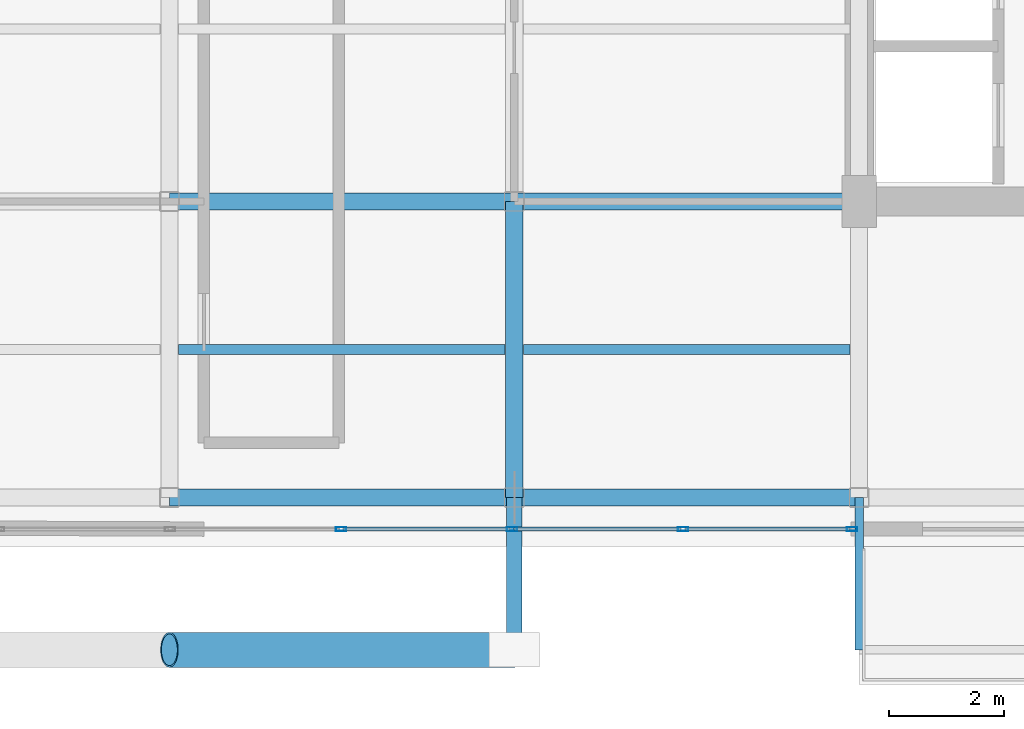
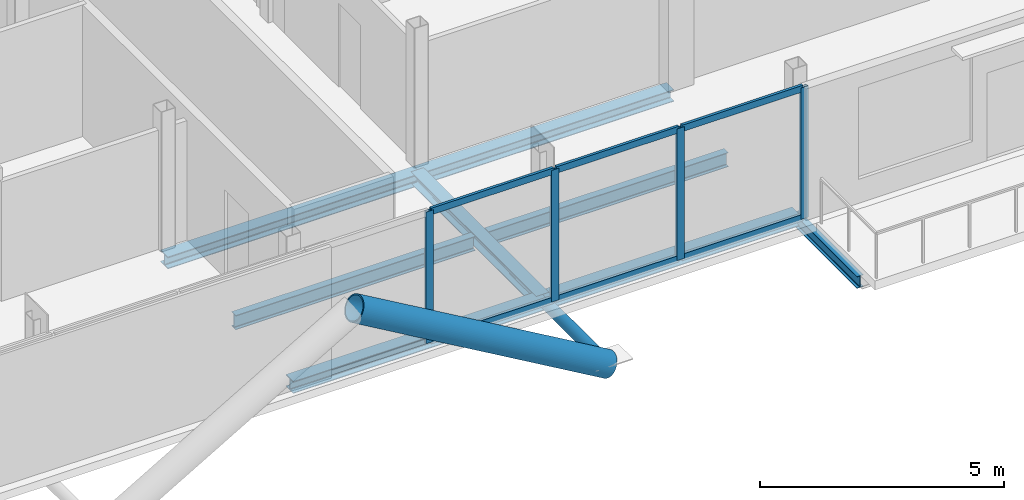
# One storey, part 5 of 19: 12 members, 8 beams, 1 element without a shape of its own.
"""IFC4 building model written with IfcOpenShell, lengths in metres."""

import ifcopenshell
import ifcopenshell.guid

model = None  # the IFC model being written
_history = None  # IfcOwnerHistory: only IFC2X3 demands one
_inside = {}  # id of a spatial element -> (the spatial element, [elements in it])
_under = {}  # id of a project, library or spatial element -> (it, [spatial elements below it])
_declared = {}  # id of a project -> (the project, [libraries it declares])
_typed = {}  # id of a type object -> (the type object, [elements of that type])
_made_of = {}  # id of a material, layer set ... -> (it, [elements and type objects made of it])


def new_model(schema):
    """Start an empty IFC model of exactly this schema.

    Asked for "IFC4X3", IfcOpenShell would pick the latest addendum, in which some entities
    have other attributes; the version numbers below select the first issue.
    IFC2X3 requires an IfcOwnerHistory on every rooted entity: one is made here for all.
    """
    global model, _history
    if schema == "IFC4X3":
        model = ifcopenshell.file(schema_version=(4, 3, 0, 0))
    else:
        model = ifcopenshell.file(schema=schema)
    _inside.clear()
    _under.clear()
    _declared.clear()
    _typed.clear()
    _made_of.clear()
    _history = None
    if model.schema == "IFC2X3":
        org = make("IfcOrganization", Name="unknown")
        user = make(
            "IfcPersonAndOrganization",
            ThePerson=make("IfcPerson", FamilyName="unknown"),
            TheOrganization=org,
        )
        app = make(
            "IfcApplication",
            ApplicationDeveloper=org,
            Version="unknown",
            ApplicationFullName="unknown",
            ApplicationIdentifier="unknown",
        )
        _history = make(
            "IfcOwnerHistory",
            OwningUser=user,
            OwningApplication=app,
            ChangeAction="ADDED",
            CreationDate=0,
        )
    return model


def make(cls, **values):
    """One entity of the class cls with the attributes given. An attribute that is None is left unset."""
    return model.create_entity(
        cls, **{name: value for name, value in values.items() if value is not None}
    )


def rooted(cls, **values):
    """An entity with a GlobalId (a new one), such as an element, a storey or a relation."""
    return make(cls, GlobalId=ifcopenshell.guid.new(), OwnerHistory=_history, **values)


def si_unit(unit_type, name, prefix=None):
    """IfcSIUnit, for example si_unit("LENGTHUNIT", "METRE", prefix="MILLI")."""
    return make("IfcSIUnit", UnitType=unit_type, Prefix=prefix, Name=name)


def assignment(units):
    """IfcUnitAssignment: the units of a project."""
    return None if units is None else make("IfcUnitAssignment", Units=units)


def point(xyz):
    """IfcCartesianPoint."""
    return None if xyz is None else make("IfcCartesianPoint", Coordinates=xyz)


def direction(xyz):
    """IfcDirection."""
    return None if xyz is None else make("IfcDirection", DirectionRatios=xyz)


def frame(location, z_axis=None, x_axis=None):
    """IfcAxis2Placement3D, a coordinate frame: its origin and axes. An axis left out is left unset."""
    return make(
        "IfcAxis2Placement3D",
        Location=point(location),
        Axis=direction(z_axis),
        RefDirection=direction(x_axis),
    )


def frame_2d(location, x_axis=None):
    """IfcAxis2Placement2D, a coordinate frame in the plane: its origin and x axis."""
    return make(
        "IfcAxis2Placement2D", Location=point(location), RefDirection=direction(x_axis)
    )


def origin():
    """The frame at (0, 0, 0) with its axes left unset."""
    return frame((0.0, 0.0, 0.0))


def origin_2d():
    """The frame at (0, 0) in the plane with its x axis left unset."""
    return frame_2d((0.0, 0.0))


def place(relative_to, where):
    """IfcLocalPlacement: puts the frame where relative to a parent placement (None: the world)."""
    return make(
        "IfcLocalPlacement", PlacementRelTo=relative_to, RelativePlacement=where
    )


def context(
    kind, dimensions, precision=None, world=None, true_north=None, identifier=None
):
    """IfcGeometricRepresentationContext, for example the 3D "Model" context."""
    return make(
        "IfcGeometricRepresentationContext",
        ContextIdentifier=identifier,
        ContextType=kind,
        CoordinateSpaceDimension=dimensions,
        Precision=precision,
        WorldCoordinateSystem=world,
        TrueNorth=true_north,
    )


def subcontext(parent, identifier, kind, view, scale=None):
    """IfcGeometricRepresentationSubContext, for example "Body" below "Model"."""
    return make(
        "IfcGeometricRepresentationSubContext",
        ContextIdentifier=identifier,
        ContextType=kind,
        ParentContext=parent,
        TargetScale=scale,
        TargetView=view,
    )


def project(units=None, contexts=None):
    """IfcProject with its units and contexts."""
    return rooted(
        "IfcProject",
        Name="project",
        RepresentationContexts=contexts,
        UnitsInContext=assignment(units),
    )


def spatial(cls, under=None, at=None, **own):
    """A site, building, storey or space (cls), placed at a placement, below another one or the project."""
    s = rooted(cls, ObjectPlacement=at, **own)
    if under is not None:
        _under.setdefault(under.id(), (under, []))[1].append(s)
    return s


def profile(cls, at=None, kind="AREA", **sizes):
    """A parametric profile (cls). Its sizes go by their IFC names, for example OverallWidth=200.0."""
    return make(cls, ProfileType=kind, Position=at, **sizes)


def hollow_rectangle(**sizes):
    """IfcRectangleHollowProfileDef."""
    return profile("IfcRectangleHollowProfileDef", **sizes)


def hollow_circle(**sizes):
    """IfcCircleHollowProfileDef."""
    return profile("IfcCircleHollowProfileDef", **sizes)


def i_section(**sizes):
    """IfcIShapeProfileDef."""
    return profile("IfcIShapeProfileDef", **sizes)


def extrude(swept, where, along, depth):
    """IfcExtrudedAreaSolid: the profile swept, set in the frame where, extruded along a direction by depth."""
    return make(
        "IfcExtrudedAreaSolid",
        SweptArea=swept,
        Position=where,
        ExtrudedDirection=direction(along),
        Depth=depth,
    )


def shape(context_of_items, identifier, shape_type, items):
    """IfcShapeRepresentation: the items that make up one representation, for example the "Body"."""
    return make(
        "IfcShapeRepresentation",
        ContextOfItems=context_of_items,
        RepresentationIdentifier=identifier,
        RepresentationType=shape_type,
        Items=items,
    )


def material(Name=None, Category=None):
    """IfcMaterial."""
    return make("IfcMaterial", Name=Name, Category=Category)


def layer(
    of_material, thickness, ventilated=None, Name=None, Category=None, Priority=None
):
    """IfcMaterialLayer: one layer of a wall or slab, of a material (None: an air gap)."""
    return make(
        "IfcMaterialLayer",
        Material=of_material,
        LayerThickness=thickness,
        IsVentilated=ventilated,
        Name=Name,
        Category=Category,
        Priority=Priority,
    )


def layer_set(layers, Name=None):
    """IfcMaterialLayerSet."""
    return make("IfcMaterialLayerSet", MaterialLayers=layers, LayerSetName=Name)


def material_profile(
    of_material, cross_section, Name=None, Category=None, Priority=None
):
    """IfcMaterialProfile: a cross section and its material."""
    return make(
        "IfcMaterialProfile",
        Name=Name,
        Material=of_material,
        Profile=cross_section,
        Priority=Priority,
        Category=Category,
    )


def profile_set(profiles, Name=None, composite=None):
    """IfcMaterialProfileSet."""
    return make(
        "IfcMaterialProfileSet",
        Name=Name,
        MaterialProfiles=profiles,
        CompositeProfile=composite,
    )


def made_of(thing, what):
    """Note that an element or type object is made of a material, layer set ...; save() writes the relation."""
    if what is not None:
        _made_of.setdefault(what.id(), (what, []))[1].append(thing)
    return thing


def type_object(cls, material=None, **own):
    """A type object (cls), such as IfcWallType, which elements share."""
    return made_of(rooted(cls, **own), material)


def element(
    cls,
    number,
    at=None,
    inside=None,
    cuts=None,
    type_object=None,
    material=None,
    context=None,
    identifier="Body",
    shape_type=None,
    held_by="IfcProductDefinitionShape",
    body=None,
    shapes=None,
    **own,
):
    """One element of the class cls, such as IfcWall. Its Tag is "e" and its number.

    at: its placement. inside: the storey or other place that contains it. cuts: it is an
    opening in that element (IfcRelVoidsElement). A single representation is given by context,
    identifier, shape_type and body (its items); several are given by shapes. held_by: the class
    of the entity that holds the representations. save() writes the other relations.
    """
    e = rooted(cls, Tag="e%d" % number, ObjectPlacement=at, **own)
    if body is not None:
        shapes = [shape(context, identifier, shape_type, body)]
    if shapes is not None:
        e.Representation = make(held_by, Representations=shapes)
    if inside is not None:
        _inside.setdefault(inside.id(), (inside, []))[1].append(e)
    if cuts is not None:
        rooted(
            "IfcRelVoidsElement", RelatingBuildingElement=cuts, RelatedOpeningElement=e
        )
    if type_object is not None:
        _typed.setdefault(type_object.id(), (type_object, []))[1].append(e)
    return made_of(e, material)


def aggregate(whole, parts):
    """IfcRelAggregates: a whole, such as a stair, and the parts it consists of."""
    return rooted("IfcRelAggregates", RelatingObject=whole, RelatedObjects=parts)


def save(model, path):
    """Write the relations noted so far, then the file.

    IfcRelAggregates (storeys below a building ...), IfcRelContainedInSpatialStructure (elements
    in a storey), IfcRelDefinesByType, IfcRelAssociatesMaterial and IfcRelDeclares: one each for
    every whole, place, type object, material and project.
    """
    for whole, parts in _under.values():
        aggregate(whole, parts)
    for where, things in _inside.values():
        rooted(
            "IfcRelContainedInSpatialStructure",
            RelatedElements=things,
            RelatingStructure=where,
        )
    for kind, things in _typed.values():
        rooted("IfcRelDefinesByType", RelatedObjects=things, RelatingType=kind)
    for what, things in _made_of.values():
        rooted("IfcRelAssociatesMaterial", RelatedObjects=things, RelatingMaterial=what)
    for by, libraries in _declared.values():
        rooted("IfcRelDeclares", RelatingContext=by, RelatedDefinitions=libraries)
    model.write(path)


model = new_model("IFC4")

# Units and contexts
model_context = context("Model", 3, precision=1e-05, world=origin(), true_north=direction((0.0, 1.0)))
body_context = subcontext(model_context, "Body", "Model", "MODEL_VIEW")
ifc_project = project(units=[si_unit("LENGTHUNIT", "METRE"), si_unit("AREAUNIT", "SQUARE_METRE"), si_unit("VOLUMEUNIT", "CUBIC_METRE"), si_unit("PLANEANGLEUNIT", "RADIAN"), si_unit("MASSUNIT", "GRAM", prefix="KILO"), si_unit("THERMODYNAMICTEMPERATUREUNIT", "KELVIN"), si_unit("POWERUNIT", "WATT")], contexts=[model_context])

# Site, building, storey
site_placement = place(None, origin())
site = spatial("IfcSite", under=ifc_project, at=site_placement, CompositionType="ELEMENT")
building_placement = place(site_placement, origin())
building = spatial("IfcBuilding", under=site, at=building_placement, Name="Svarakhadi Broadcast Tower", CompositionType="ELEMENT")
storey_placement = place(building_placement, frame((0.0, 0.0, 243.199951171875)))
storey = spatial("IfcBuildingStorey", under=building, at=storey_placement, Name="L60", CompositionType="ELEMENT", Elevation=243.199951171875)

# Beams
ifc_material_1 = material(Name="Steel S355J2 (IS 2062 E350C)", Category="steel")
ifc_material_profile_1 = material_profile(ifc_material_1, i_section(OverallWidth=0.169921875, OverallDepth=0.360107421875, WebThickness=0.008056640625, FlangeThickness=0.0126953125, FilletRadius=0.01806640625, at=origin_2d()), Name="NPB 360x170x57")
ifc_profile_set_1 = profile_set([ifc_material_profile_1], Name="Steel S355J2 (IS 2062 E350C)")
beam_type_1 = type_object("IfcBeamType", Name="Beam_NPB360", PredefinedType="BEAM", material=ifc_profile_set_1)
for number, where, z_axis, x_axis, name in (
    (1, (12.159912109375, 3.425048828125, -0.3798828125), (1.0, 0.0, 0.0), (0.0, 1.0, 0.0), "L60 Secondary Composite Beam SB007"),
    (2, (18.159912109375, 3.425048828125, -0.3798828125), (1.0, 0.0, 0.0), (0.0, 1.0, 0.0), "L60 Secondary Composite Beam SB010"),
):
    element("IfcBeam", number, at=place(storey_placement, frame(where, z_axis=z_axis, x_axis=x_axis)), inside=storey, type_object=beam_type_1, Name=name, PredefinedType="BEAM", context=body_context, shape_type="SweptSolid", body=[
        extrude(i_section(OverallWidth=0.169921875, OverallDepth=0.360107421875, WebThickness=0.008056640625, FlangeThickness=0.0126953125, FilletRadius=0.01806640625, at=origin_2d()), origin(), (0.0, 0.0, 1.0), 5.68017578125),
    ])

# Curtain wall, members
ifc_material_2 = material(Name="Anodised Bronze Aluminium AA 6063-T6", Category="aluminium")
ifc_layer = layer(ifc_material_2, 0.179931640625)
ifc_layer_set = layer_set([ifc_layer], Name="Anodised Bronze Aluminium AA 6063-T6")
curtain_wall_type = type_object("IfcCurtainWallType", Name="CW_Sys_05", PredefinedType="NOTDEFINED", material=ifc_layer_set)
curtain_wall_placement = place(storey_placement, origin())
curtain_wall = element("IfcCurtainWall", 3, at=curtain_wall_placement, inside=storey, type_object=curtain_wall_type, Name="L60 South Curtain Wall 15", PredefinedType="NOTDEFINED")
ifc_material_profile_2 = material_profile(ifc_material_2, hollow_rectangle(XDim=0.070068359375, YDim=0.179931640625, WallThickness=0.005615234375, at=origin_2d()), Name="ALU MULLION 180x70x6")
ifc_profile_set_2 = profile_set([ifc_material_profile_2], Name="Anodised Bronze Aluminium AA 6063-T6")
member_type_1 = type_object("IfcMemberType", Name="CW_Sys_05_Mul", PredefinedType="MULLION", material=ifc_profile_set_2)
member_1_placement = place(storey_placement, frame((23.875, 0.300048828125, 0.0), z_axis=(0.0, 0.0, 1.0), x_axis=(0.0, -1.0, 0.0)))
member_1 = element("IfcMember", 4, at=member_1_placement, type_object=member_type_1, Name="CW-05 mullion 1", PredefinedType="MULLION", context=body_context, shape_type="SweptSolid", body=[
    extrude(hollow_rectangle(XDim=0.070068359375, YDim=0.179931640625, WallThickness=0.005615234375, at=origin_2d()), origin(), (0.0, 0.0, 1.0), 3.300048828125),
])
member_2_placement = place(storey_placement, frame((20.935791015625, 0.300048828125, 0.0), z_axis=(0.0, 0.0, 1.0), x_axis=(0.0, -1.0, 0.0)))
member_2 = element("IfcMember", 5, at=member_2_placement, type_object=member_type_1, Name="CW-05 mullion 2", PredefinedType="MULLION", context=body_context, shape_type="SweptSolid", body=[
    extrude(hollow_rectangle(XDim=0.070068359375, YDim=0.179931640625, WallThickness=0.005615234375, at=origin_2d()), origin(), (0.0, 0.0, 1.0), 3.300048828125),
])
member_3_placement = place(storey_placement, frame((17.96142578125, 0.300048828125, 0.0), z_axis=(0.0, 0.0, 1.0), x_axis=(0.0, -1.0, 0.0)))
member_3 = element("IfcMember", 6, at=member_3_placement, type_object=member_type_1, Name="CW-05 mullion 3", PredefinedType="MULLION", context=body_context, shape_type="SweptSolid", body=[
    extrude(hollow_rectangle(XDim=0.070068359375, YDim=0.179931640625, WallThickness=0.005615234375, at=origin_2d()), origin(), (0.0, 0.0, 1.0), 3.300048828125),
])
member_4_placement = place(storey_placement, frame((14.987060546875, 0.300048828125, 0.0), z_axis=(0.0, 0.0, 1.0), x_axis=(0.0, -1.0, 0.0)))
member_4 = element("IfcMember", 7, at=member_4_placement, type_object=member_type_1, Name="CW-05 mullion 4", PredefinedType="MULLION", context=body_context, shape_type="SweptSolid", body=[
    extrude(hollow_rectangle(XDim=0.070068359375, YDim=0.179931640625, WallThickness=0.005615234375, at=origin_2d()), origin(), (0.0, 0.0, 1.0), 3.300048828125),
])
ifc_material_profile_3 = material_profile(ifc_material_2, hollow_rectangle(XDim=0.06494140625, YDim=0.1650390625, WallThickness=0.0048828125, at=origin_2d()), Name="ALU TRANSOM 165x65x5")
ifc_profile_set_3 = profile_set([ifc_material_profile_3], Name="Anodised Bronze Aluminium AA 6063-T6")
member_type_2 = type_object("IfcMemberType", Name="CW_Sys_05_Trn", PredefinedType="USERDEFINED", material=ifc_profile_set_3)
member_5_placement = place(storey_placement, frame((23.840087890625, 0.300048828125, 0.032470703125), z_axis=(-1.0, 0.0, 0.0), x_axis=(0.0, -1.0, 0.0)))
member_5 = element("IfcMember", 8, at=member_5_placement, type_object=member_type_2, Name="CW-05 transom 1.1", ObjectType="TRANSOM", PredefinedType="USERDEFINED", context=body_context, shape_type="SweptSolid", body=[
    extrude(hollow_rectangle(XDim=0.06494140625, YDim=0.1650390625, WallThickness=0.0048828125, at=origin_2d()), origin(), (0.0, 0.0, 1.0), 2.869384765625),
])
member_6_placement = place(storey_placement, frame((23.840087890625, 0.300048828125, 3.267578125), z_axis=(-1.0, 0.0, 0.0), x_axis=(0.0, -1.0, 0.0)))
member_6 = element("IfcMember", 9, at=member_6_placement, type_object=member_type_2, Name="CW-05 transom 1.2", ObjectType="TRANSOM", PredefinedType="USERDEFINED", context=body_context, shape_type="SweptSolid", body=[
    extrude(hollow_rectangle(XDim=0.06494140625, YDim=0.1650390625, WallThickness=0.0048828125, at=origin_2d()), origin(), (0.0, 0.0, 1.0), 2.869384765625),
])
member_7_placement = place(storey_placement, frame((20.900634765625, 0.300048828125, 0.032470703125), z_axis=(-1.0, 0.0, 0.0), x_axis=(0.0, -1.0, 0.0)))
member_7 = element("IfcMember", 10, at=member_7_placement, type_object=member_type_2, Name="CW-05 transom 2.1", ObjectType="TRANSOM", PredefinedType="USERDEFINED", context=body_context, shape_type="SweptSolid", body=[
    extrude(hollow_rectangle(XDim=0.06494140625, YDim=0.1650390625, WallThickness=0.0048828125, at=origin_2d()), origin(), (0.0, 0.0, 1.0), 2.904296875),
])
member_8_placement = place(storey_placement, frame((20.900634765625, 0.300048828125, 3.267578125), z_axis=(-1.0, 0.0, 0.0), x_axis=(0.0, -1.0, 0.0)))
member_8 = element("IfcMember", 11, at=member_8_placement, type_object=member_type_2, Name="CW-05 transom 2.2", ObjectType="TRANSOM", PredefinedType="USERDEFINED", context=body_context, shape_type="SweptSolid", body=[
    extrude(hollow_rectangle(XDim=0.06494140625, YDim=0.1650390625, WallThickness=0.0048828125, at=origin_2d()), origin(), (0.0, 0.0, 1.0), 2.904296875),
])
member_9_placement = place(storey_placement, frame((17.926513671875, 0.300048828125, 0.032470703125), z_axis=(-1.0, 0.0, 0.0), x_axis=(0.0, -1.0, 0.0)))
member_9 = element("IfcMember", 12, at=member_9_placement, type_object=member_type_2, Name="CW-05 transom 3.1", ObjectType="TRANSOM", PredefinedType="USERDEFINED", context=body_context, shape_type="SweptSolid", body=[
    extrude(hollow_rectangle(XDim=0.06494140625, YDim=0.1650390625, WallThickness=0.0048828125, at=origin_2d()), origin(), (0.0, 0.0, 1.0), 2.904296875),
])
member_10_placement = place(storey_placement, frame((17.926513671875, 0.300048828125, 3.267578125), z_axis=(-1.0, 0.0, 0.0), x_axis=(0.0, -1.0, 0.0)))
member_10 = element("IfcMember", 13, at=member_10_placement, type_object=member_type_2, Name="CW-05 transom 3.2", ObjectType="TRANSOM", PredefinedType="USERDEFINED", context=body_context, shape_type="SweptSolid", body=[
    extrude(hollow_rectangle(XDim=0.06494140625, YDim=0.1650390625, WallThickness=0.0048828125, at=origin_2d()), origin(), (0.0, 0.0, 1.0), 2.904296875),
])
aggregate(curtain_wall, [member_1, member_2, member_3, member_4, member_5, member_6, member_7, member_8, member_9, member_10])

# Members
ifc_material_3 = material(Name="Steel S460ML (IS 2062 E450BR)", Category="steel")
ifc_material_profile_4 = material_profile(ifc_material_3, hollow_circle(Radius=0.304931640625, WallThickness=0.030029296875, at=origin_2d()), Name="CHS 610x30")
ifc_profile_set_4 = profile_set([ifc_material_profile_4], Name="Steel S460ML (IS 2062 E450BR)")
member_type_3 = type_object("IfcMemberType", Name="Exo_Brace_CHS610", PredefinedType="BRACE", material=ifc_profile_set_4)
member_11_placement = place(storey_placement, frame((18.0, -1.800048828125, -0.33642578125), z_axis=(-0.863778900898, 0.0, 0.503871025524), x_axis=(0.0, -1.0, 0.0)))
element("IfcMember", 14, at=member_11_placement, inside=storey, type_object=member_type_3, Name="L60 Exposed Bronze Exoskeleton Diagonal S02", PredefinedType="BRACE", context=body_context, shape_type="SweptSolid", body=[
    extrude(hollow_circle(Radius=0.304931640625, WallThickness=0.030029296875, at=origin_2d()), origin(), (0.0, 0.0, 1.0), 6.9462890625),
])
ifc_material_profile_5 = material_profile(ifc_material_3, hollow_circle(Radius=0.136474609375, WallThickness=0.012451171875, at=origin_2d()), Name="CHS 273x12.5")
ifc_profile_set_5 = profile_set([ifc_material_profile_5], Name="Steel S460ML (IS 2062 E450BR)")
member_type_4 = type_object("IfcMemberType", Name="Exo_Radial_Strut_Z3", PredefinedType="STRUT", material=ifc_profile_set_5)
member_12_placement = place(storey_placement, frame((18.0, -1.800048828125, -0.33642578125), z_axis=(0.0, 1.0, 0.0), x_axis=(-1.0, 0.0, 0.0)))
element("IfcMember", 15, at=member_12_placement, inside=storey, type_object=member_type_4, Name="L60 Exoskeleton Radial Tie Strut S02", PredefinedType="STRUT", context=body_context, shape_type="SweptSolid", body=[
    extrude(hollow_circle(Radius=0.136474609375, WallThickness=0.012451171875, at=origin_2d()), origin(), (0.0, 0.0, 1.0), 2.650146484375),
])

# Beams
ifc_material_profile_6 = material_profile(ifc_material_1, i_section(OverallWidth=0.300048828125, OverallDepth=0.300048828125, WebThickness=0.010986328125, FlangeThickness=0.01904296875, FilletRadius=0.027099609375, at=origin_2d()), Name="WPB 300x300x117")
ifc_profile_set_6 = profile_set([ifc_material_profile_6], Name="Steel S355J2 (IS 2062 E350C)")
beam_type_2 = type_object("IfcBeamType", Name="Girder_WPB300", PredefinedType="USERDEFINED", material=ifc_profile_set_6)
for number, where, z_axis, x_axis, name in (
    (16, (12.0, 0.85009765625, -0.349853515625), (1.0, 0.0, 0.0), (0.0, 1.0, 0.0), "L60 Primary E-W Girder G005"),
    (17, (18.0, 0.85009765625, -0.349853515625), (1.0, 0.0, 0.0), (0.0, 1.0, 0.0), "L60 Primary E-W Girder G006"),
    (18, (12.0, 6.0, -0.349853515625), (1.0, 0.0, 0.0), (0.0, 1.0, 0.0), "L60 Primary E-W Girder G010"),
    (19, (18.0, 6.0, -0.349853515625), (1.0, 0.0, 0.0), (0.0, 1.0, 0.0), "L60 Primary E-W Girder G011"),
):
    element("IfcBeam", number, at=place(storey_placement, frame(where, z_axis=z_axis, x_axis=x_axis)), inside=storey, type_object=beam_type_2, Name=name, ObjectType="GIRDER", PredefinedType="USERDEFINED", context=body_context, shape_type="SweptSolid", body=[
        extrude(i_section(OverallWidth=0.300048828125, OverallDepth=0.300048828125, WebThickness=0.010986328125, FlangeThickness=0.01904296875, FilletRadius=0.027099609375, at=origin_2d()), origin(), (0.0, 0.0, 1.0), 6.0),
    ])
beam_1_placement = place(storey_placement, frame((18.0, 0.85009765625, -0.349853515625), z_axis=(0.0, 1.0, 0.0), x_axis=(-1.0, 0.0, 0.0)))
element("IfcBeam", 20, at=beam_1_placement, inside=storey, type_object=beam_type_2, Name="L60 Primary N-S Girder G036", ObjectType="GIRDER", PredefinedType="USERDEFINED", context=body_context, shape_type="SweptSolid", body=[
    extrude(i_section(OverallWidth=0.300048828125, OverallDepth=0.300048828125, WebThickness=0.010986328125, FlangeThickness=0.01904296875, FilletRadius=0.027099609375, at=origin_2d()), origin(), (0.0, 0.0, 1.0), 5.14990234375),
])
ifc_material_profile_7 = material_profile(ifc_material_1, i_section(OverallWidth=0.14990234375, OverallDepth=0.300048828125, WebThickness=0.007080078125, FlangeThickness=0.0107421875, FilletRadius=0.014892578125, at=origin_2d()), Name="NPB 300x150x37")
ifc_profile_set_7 = profile_set([ifc_material_profile_7], Name="Steel S355J2 (IS 2062 E350C)")
beam_type_3 = type_object("IfcBeamType", Name="Spandrel_NPB300", PredefinedType="SPANDREL", material=ifc_profile_set_7)
beam_2_placement = place(storey_placement, frame((24.0, 0.85009765625, -0.375), z_axis=(0.0, -1.0, 0.0), x_axis=(1.0, 0.0, 0.0)))
element("IfcBeam", 21, at=beam_2_placement, inside=storey, type_object=beam_type_3, Name="L60 Balcony Cantilever Bracket 1A", PredefinedType="SPANDREL", context=body_context, shape_type="SweptSolid", body=[
    extrude(i_section(OverallWidth=0.14990234375, OverallDepth=0.300048828125, WebThickness=0.007080078125, FlangeThickness=0.0107421875, FilletRadius=0.014892578125, at=origin_2d()), origin(), (0.0, 0.0, 1.0), 2.650146484375),
])

save(model, "model.ifc")
